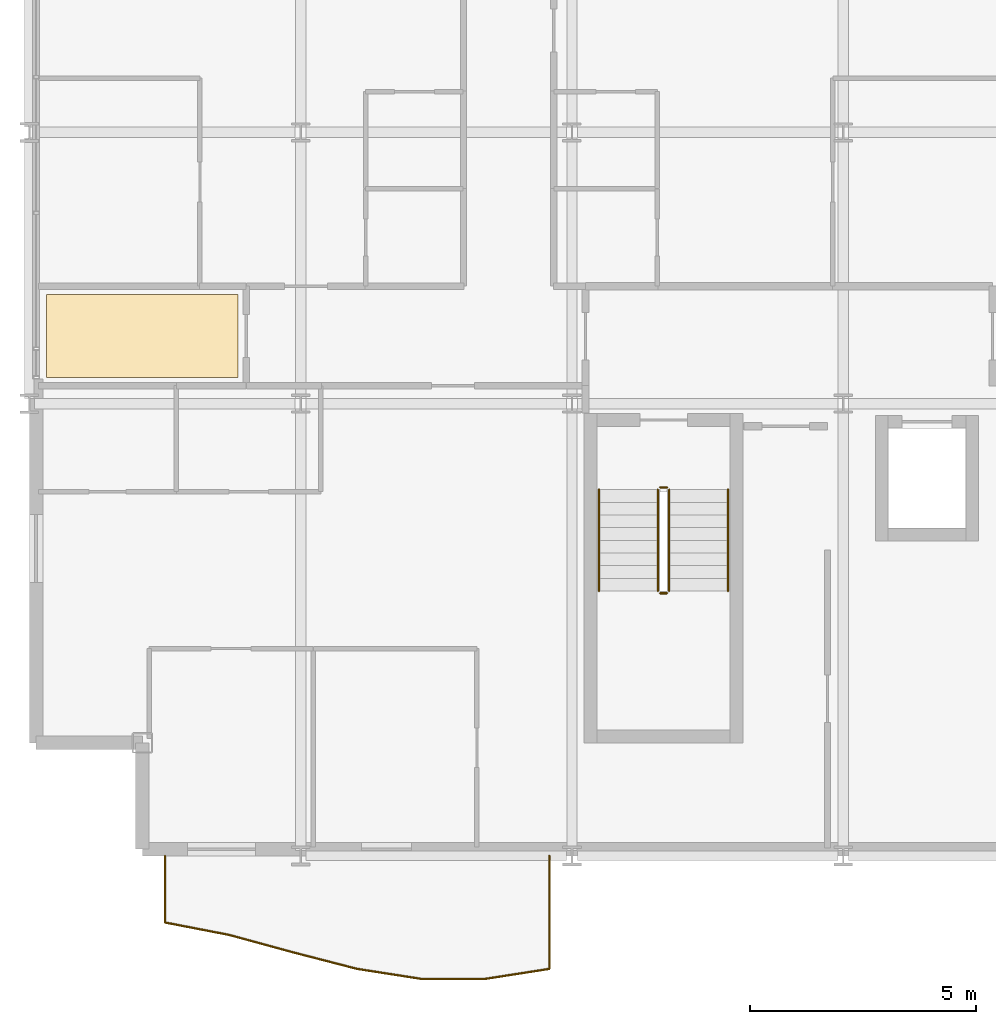
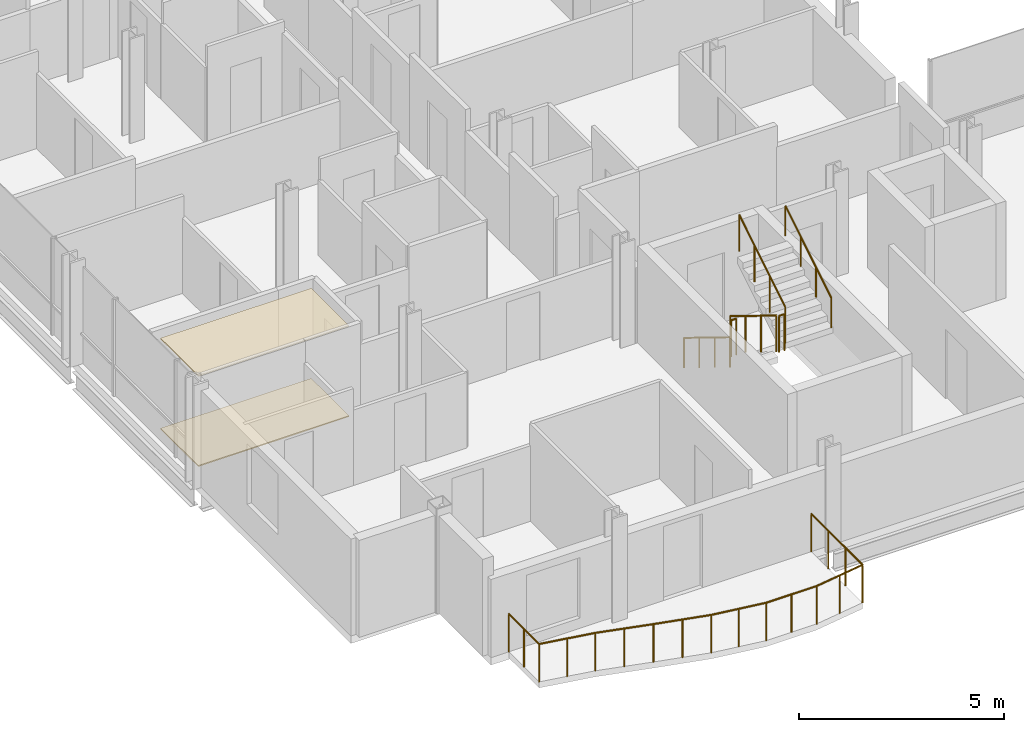
# One storey, part 38 of 41: 7 railings, 2 coverings.
"""IFC4 building model written with IfcOpenShell, lengths in metres."""

from ifc_helpers import new_model, si_unit, direction, frame, origin, origin_2d, place, context, subcontext, project, spatial, polyline, circle, outline, extrude, material, layer, layer_set, type_object, element, save


model = new_model("IFC4")

# Units and contexts
model_context = context("Model", 3, precision=1e-05, world=origin(), true_north=direction((0.0, 1.0)))
body_context = subcontext(model_context, "Body", "Model", "MODEL_VIEW")
ifc_project = project(units=[si_unit("LENGTHUNIT", "METRE"), si_unit("AREAUNIT", "SQUARE_METRE"), si_unit("VOLUMEUNIT", "CUBIC_METRE"), si_unit("PLANEANGLEUNIT", "RADIAN"), si_unit("MASSUNIT", "GRAM", prefix="KILO")], contexts=[model_context])

# Site, building, storey
site_placement = place(None, origin())
site = spatial("IfcSite", under=ifc_project, at=site_placement, CompositionType="ELEMENT")
building_placement = place(site_placement, origin())
building = spatial("IfcBuilding", under=site, at=building_placement, Name="Brevholm Reach", CompositionType="ELEMENT")
storey_placement = place(building_placement, frame((0.0, 0.0, 112.800048828125)))
storey = spatial("IfcBuildingStorey", under=building, at=storey_placement, Name="L33", CompositionType="ELEMENT", Elevation=112.800048828125)

# Coverings
ifc_material_1 = material(Name="Moisture-Resistant Skimmed Gypsum Plasterboard Ceiling", Category="gypsum")
ifc_layer_1 = layer(ifc_material_1, 0.030029296875)
ifc_layer_set_1 = layer_set([ifc_layer_1], Name="Moisture-Resistant Skimmed Gypsum Plasterboard Ceiling")
covering_type_1 = type_object("IfcCoveringType", Name="COV-CLG-GYP", PredefinedType="CEILING", material=ifc_layer_set_1)
covering_1_placement = place(storey_placement, frame((0.0, 0.0, 2.679931640625)))
element("IfcCovering", 1, at=covering_1_placement, inside=storey, type_object=covering_type_1, Name="L33 Suspended Ceiling L33-30", PredefinedType="CEILING", context=body_context, shape_type="SweptSolid", body=[
    extrude(outline(polyline([(0.3798828125, 12.419921875), (4.615966796875, 12.419921875), (4.615966796875, 10.583984375), (0.3798828125, 10.583984375), (0.3798828125, 12.419921875)])), origin(), (0.0, 0.0, 1.0), 0.030029296875),
])
ifc_material_2 = material(Name="Honed Portland-Aggregate Resin Terrazzo Flooring", Category="concrete")
ifc_layer_2 = layer(ifc_material_2, 0.031982421875)
ifc_layer_set_2 = layer_set([ifc_layer_2], Name="Honed Portland-Aggregate Resin Terrazzo Flooring")
covering_type_2 = type_object("IfcCoveringType", Name="COV-FLR-TRZ", PredefinedType="FLOORING", material=ifc_layer_set_2)
covering_2_placement = place(storey_placement, origin())
element("IfcCovering", 2, at=covering_2_placement, inside=storey, type_object=covering_type_2, Name="L33 Floor Finish L33-30", PredefinedType="FLOORING", context=body_context, shape_type="SweptSolid", body=[
    extrude(outline(polyline([(0.3798828125, 12.419921875), (4.615966796875, 12.419921875), (4.615966796875, 10.583984375), (0.3798828125, 10.583984375), (0.3798828125, 12.419921875)])), origin(), (0.0, 0.0, 1.0), 0.031982421875),
])

# Railings
ifc_material_3 = material(Name="Brushed Stainless Steel EN 1.4401 and Laminated Glass", Category="steel")
railing_type_1 = type_object("IfcRailingType", Name="RAL-BALC-1150", PredefinedType="BALUSTRADE", material=ifc_material_3)
railing_1_placement = place(storey_placement, frame((3.0, 0.0, 0.0)))
element("IfcRailing", 3, at=railing_1_placement, inside=storey, type_object=railing_type_1, Name="L33 Guard Balustrade RAL-L33-BAL-SW", PredefinedType="BALUSTRADE", context=body_context, shape_type="SweptSolid", body=[
    extrude(circle(Radius=0.02392578125, at=origin_2d()), frame((0.0, 0.0, 1.1259765625), z_axis=(0.0, -1.0, 0.0), x_axis=(1.0, 0.0, 0.0)), (0.0, 0.0, 1.0), 1.4736328125),
    extrude(circle(Radius=0.02392578125, at=origin_2d()), frame((0.0, -1.4736328125, 1.1259765625), z_axis=(0.981784941083, -0.189995603797, 0.0), x_axis=(0.189995603797, 0.981784941083, 0.0)), (0.0, 0.0, 1.0), 1.443115234375),
    extrude(circle(Radius=0.02392578125, at=origin_2d()), frame((1.416748046875, -1.747802734375, 1.1259765625), z_axis=(0.964821360478, -0.262906337628, 0.0), x_axis=(0.262906337628, 0.964821360478, 0.0)), (0.0, 0.0, 1.0), 1.46826171875),
    extrude(circle(Radius=0.02392578125, at=origin_2d()), frame((2.833251953125, -2.1337890625, 1.1259765625), z_axis=(0.968218696825, -0.250105088151, 0.0), x_axis=(0.250105088151, 0.968218696825, 0.0)), (0.0, 0.0, 1.0), 1.463134765625),
    extrude(circle(Radius=0.02392578125, at=origin_2d()), frame((4.25, -2.499755859375, 1.1259765625), z_axis=(0.988082538492, -0.153924972393, 0.0), x_axis=(0.153924972393, 0.988082538492, 0.0)), (0.0, 0.0, 1.0), 1.433837890625),
    extrude(circle(Radius=0.02392578125, at=origin_2d()), frame((5.666748046875, -2.720458984375, 1.1259765625), z_axis=(1.0, 0.0, 0.0), x_axis=(0.0, 1.0, 0.0)), (0.0, 0.0, 1.0), 1.41650390625),
    extrude(circle(Radius=0.02392578125, at=origin_2d()), frame((7.083251953125, -2.720458984375, 1.1259765625), z_axis=(0.988082538492, 0.153924972393, 0.0), x_axis=(-0.153924972393, 0.988082538492, 0.0)), (0.0, 0.0, 1.0), 1.433837890625),
    extrude(circle(Radius=0.02392578125, at=origin_2d()), frame((8.5, -2.499755859375, 1.1259765625), z_axis=(0.0, 1.0, 0.0), x_axis=(-1.0, 0.0, 0.0)), (0.0, 0.0, 1.0), 2.499755859375),
    extrude(circle(Radius=0.02099609375, at=origin_2d()), origin(), (0.0, 0.0, 1.0), 1.101806640625),
    extrude(circle(Radius=0.02099609375, at=origin_2d()), frame((0.0, -0.73681640625, 0.0)), (0.0, 0.0, 1.0), 1.101806640625),
    extrude(circle(Radius=0.02099609375, at=origin_2d()), frame((0.0, -1.4736328125, 0.0)), (0.0, 0.0, 1.0), 1.101806640625),
    extrude(circle(Radius=0.02099609375, at=origin_2d()), frame((0.70849609375, -1.61083984375, 0.0)), (0.0, 0.0, 1.0), 1.101806640625),
    extrude(circle(Radius=0.02099609375, at=origin_2d()), frame((1.416748046875, -1.747802734375, 0.0)), (0.0, 0.0, 1.0), 1.101806640625),
    extrude(circle(Radius=0.02099609375, at=origin_2d()), frame((2.125, -1.94091796875, 0.0)), (0.0, 0.0, 1.0), 1.101806640625),
    extrude(circle(Radius=0.02099609375, at=origin_2d()), frame((2.833251953125, -2.1337890625, 0.0)), (0.0, 0.0, 1.0), 1.101806640625),
    extrude(circle(Radius=0.02099609375, at=origin_2d()), frame((3.54150390625, -2.31689453125, 0.0)), (0.0, 0.0, 1.0), 1.101806640625),
    extrude(circle(Radius=0.02099609375, at=origin_2d()), frame((4.25, -2.499755859375, 0.0)), (0.0, 0.0, 1.0), 1.101806640625),
    extrude(circle(Radius=0.02099609375, at=origin_2d()), frame((4.95849609375, -2.610107421875, 0.0)), (0.0, 0.0, 1.0), 1.101806640625),
    extrude(circle(Radius=0.02099609375, at=origin_2d()), frame((5.666748046875, -2.720458984375, 0.0)), (0.0, 0.0, 1.0), 1.101806640625),
    extrude(circle(Radius=0.02099609375, at=origin_2d()), frame((6.375, -2.720458984375, 0.0)), (0.0, 0.0, 1.0), 1.101806640625),
    extrude(circle(Radius=0.02099609375, at=origin_2d()), frame((7.083251953125, -2.720458984375, 0.0)), (0.0, 0.0, 1.0), 1.101806640625),
    extrude(circle(Radius=0.02099609375, at=origin_2d()), frame((7.79150390625, -2.610107421875, 0.0)), (0.0, 0.0, 1.0), 1.101806640625),
    extrude(circle(Radius=0.02099609375, at=origin_2d()), frame((8.5, -2.499755859375, 0.0)), (0.0, 0.0, 1.0), 1.101806640625),
    extrude(circle(Radius=0.02099609375, at=origin_2d()), frame((8.5, -1.66650390625, 0.0)), (0.0, 0.0, 1.0), 1.101806640625),
    extrude(circle(Radius=0.02099609375, at=origin_2d()), frame((8.5, -0.833251953125, 0.0)), (0.0, 0.0, 1.0), 1.101806640625),
    extrude(circle(Radius=0.02099609375, at=origin_2d()), frame((8.5, 0.0, 0.0)), (0.0, 0.0, 1.0), 1.101806640625),
])
ifc_material_4 = material(Name="Brushed Stainless Steel EN 1.4401 Continuous Handrail", Category="steel")
railing_type_2 = type_object("IfcRailingType", Name="RAL-HND-950", PredefinedType="HANDRAIL", material=ifc_material_4)
railing_2_placement = place(storey_placement, frame((12.60009765625, 8.10009765625, 0.172119140625)))
element("IfcRailing", 4, at=railing_2_placement, inside=storey, type_object=railing_type_2, Name="L33 ST-1 stair handrail 1", PredefinedType="HANDRAIL", context=body_context, shape_type="SweptSolid", body=[
    extrude(circle(Radius=0.02392578125, at=origin_2d()), frame((0.0, 0.0, 0.8857421875), z_axis=(0.0, -0.851747552033, 0.523952390591), x_axis=(1.0, 0.0, 0.0)), (0.0, 0.0, 1.0), 2.6298828125),
    extrude(circle(Radius=0.02099609375, at=origin_2d()), origin(), (0.0, 0.0, 1.0), 0.86181640625),
    extrude(circle(Radius=0.02099609375, at=origin_2d()), frame((0.0, -0.74658203125, 0.459228515625)), (0.0, 0.0, 1.0), 0.86181640625),
    extrude(circle(Radius=0.02099609375, at=origin_2d()), frame((0.0, -1.493408203125, 0.918701171875)), (0.0, 0.0, 1.0), 0.86181640625),
    extrude(circle(Radius=0.02099609375, at=origin_2d()), frame((0.0, -2.239990234375, 1.3779296875)), (0.0, 0.0, 1.0), 0.86181640625),
])
railing_3_placement = place(storey_placement, frame((15.449951171875, 5.860107421875, 1.72216796875)))
element("IfcRailing", 5, at=railing_3_placement, inside=storey, type_object=railing_type_2, Name="L33 ST-1 stair handrail 2", PredefinedType="HANDRAIL", context=body_context, shape_type="SweptSolid", body=[
    extrude(circle(Radius=0.02392578125, at=origin_2d()), frame((0.0, 0.0, 0.8857421875), z_axis=(0.0, 0.85178898068, 0.523885037382), x_axis=(-1.0, 0.0, 0.0)), (0.0, 0.0, 1.0), 2.629638671875),
    extrude(circle(Radius=0.02099609375, at=origin_2d()), origin(), (0.0, 0.0, 1.0), 0.86181640625),
    extrude(circle(Radius=0.02099609375, at=origin_2d()), frame((0.0, 0.74658203125, 0.459228515625)), (0.0, 0.0, 1.0), 0.86181640625),
    extrude(circle(Radius=0.02099609375, at=origin_2d()), frame((0.0, 1.493408203125, 0.91845703125)), (0.0, 0.0, 1.0), 0.86181640625),
    extrude(circle(Radius=0.02099609375, at=origin_2d()), frame((0.0, 2.239990234375, 1.377685546875)), (0.0, 0.0, 1.0), 0.86181640625),
])
ifc_material_5 = material(Name="Painted Tubular Galvanised Steel S275JR Stair Guard", Category="steel")
railing_type_3 = type_object("IfcRailingType", Name="RAL-STG-1120", PredefinedType="BALUSTRADE", material=ifc_material_5)
railing_4_placement = place(storey_placement, frame((13.89990234375, 8.10009765625, 0.172119140625)))
element("IfcRailing", 6, at=railing_4_placement, inside=storey, type_object=railing_type_3, Name="L33 ST-1 stair guard 1", PredefinedType="BALUSTRADE", context=body_context, shape_type="SweptSolid", body=[
    extrude(circle(Radius=0.02392578125, at=origin_2d()), frame((0.0, 0.0, 1.076171875), z_axis=(0.0, -0.851747552033, 0.523952390591), x_axis=(1.0, 0.0, 0.0)), (0.0, 0.0, 1.0), 2.6298828125),
    extrude(circle(Radius=0.02099609375, at=origin_2d()), origin(), (0.0, 0.0, 1.0), 1.052001953125),
    extrude(circle(Radius=0.02099609375, at=origin_2d()), frame((0.0, -0.74658203125, 0.459228515625)), (0.0, 0.0, 1.0), 1.052001953125),
    extrude(circle(Radius=0.02099609375, at=origin_2d()), frame((0.0, -1.493408203125, 0.918701171875)), (0.0, 0.0, 1.0), 1.052001953125),
    extrude(circle(Radius=0.02099609375, at=origin_2d()), frame((0.0, -2.239990234375, 1.3779296875)), (0.0, 0.0, 1.0), 1.052001953125),
])
railing_5_placement = place(storey_placement, frame((13.949951171875, 5.81005859375, 1.550048828125)))
element("IfcRailing", 7, at=railing_5_placement, inside=storey, type_object=railing_type_3, Name="L33 ST-1 stair guard 2", PredefinedType="BALUSTRADE", context=body_context, shape_type="SweptSolid", body=[
    extrude(circle(Radius=0.02392578125, at=origin_2d()), frame((0.0, 0.0, 1.076171875), z_axis=(1.0, 0.0, 0.0), x_axis=(0.0, 1.0, 0.0)), (0.0, 0.0, 1.0), 0.150146484375),
    extrude(circle(Radius=0.02099609375, at=origin_2d()), origin(), (0.0, 0.0, 1.0), 1.052001953125),
    extrude(circle(Radius=0.02099609375, at=origin_2d()), frame((0.150146484375, 0.0, 0.0)), (0.0, 0.0, 1.0), 1.052001953125),
])
railing_6_placement = place(storey_placement, frame((14.14990234375, 5.860107421875, 1.72216796875)))
element("IfcRailing", 8, at=railing_6_placement, inside=storey, type_object=railing_type_3, Name="L33 ST-1 stair guard 3", PredefinedType="BALUSTRADE", context=body_context, shape_type="SweptSolid", body=[
    extrude(circle(Radius=0.02392578125, at=origin_2d()), frame((0.0, 0.0, 1.076171875), z_axis=(0.0, 0.85178898068, 0.523885037382), x_axis=(-1.0, 0.0, 0.0)), (0.0, 0.0, 1.0), 2.629638671875),
    extrude(circle(Radius=0.02099609375, at=origin_2d()), origin(), (0.0, 0.0, 1.0), 1.052001953125),
    extrude(circle(Radius=0.02099609375, at=origin_2d()), frame((0.0, 0.74658203125, 0.459228515625)), (0.0, 0.0, 1.0), 1.052001953125),
    extrude(circle(Radius=0.02099609375, at=origin_2d()), frame((0.0, 1.493408203125, 0.91845703125)), (0.0, 0.0, 1.0), 1.052001953125),
    extrude(circle(Radius=0.02099609375, at=origin_2d()), frame((0.0, 2.239990234375, 1.377685546875)), (0.0, 0.0, 1.0), 1.052001953125),
])
railing_7_placement = place(storey_placement, frame((13.949951171875, 8.14990234375, 0.0)))
element("IfcRailing", 9, at=railing_7_placement, inside=storey, type_object=railing_type_3, Name="L33 ST-1 stair guard 4", PredefinedType="BALUSTRADE", context=body_context, shape_type="SweptSolid", body=[
    extrude(circle(Radius=0.02392578125, at=origin_2d()), frame((0.0, 0.0, 1.076171875), z_axis=(1.0, 0.0, 0.0), x_axis=(0.0, 1.0, 0.0)), (0.0, 0.0, 1.0), 0.150146484375),
    extrude(circle(Radius=0.02099609375, at=origin_2d()), origin(), (0.0, 0.0, 1.0), 1.052001953125),
    extrude(circle(Radius=0.02099609375, at=origin_2d()), frame((0.150146484375, 0.0, 0.0)), (0.0, 0.0, 1.0), 1.052001953125),
])

save(model, "model.ifc")
